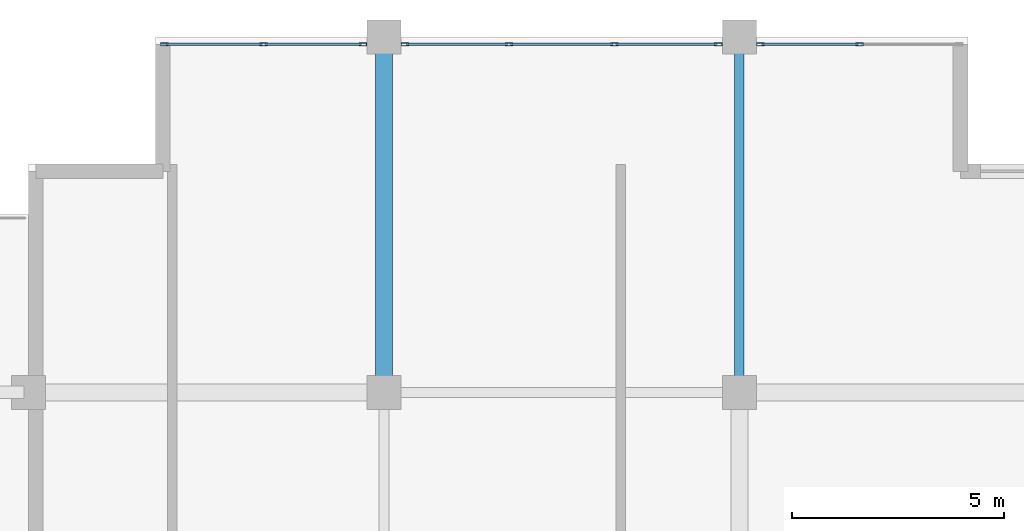
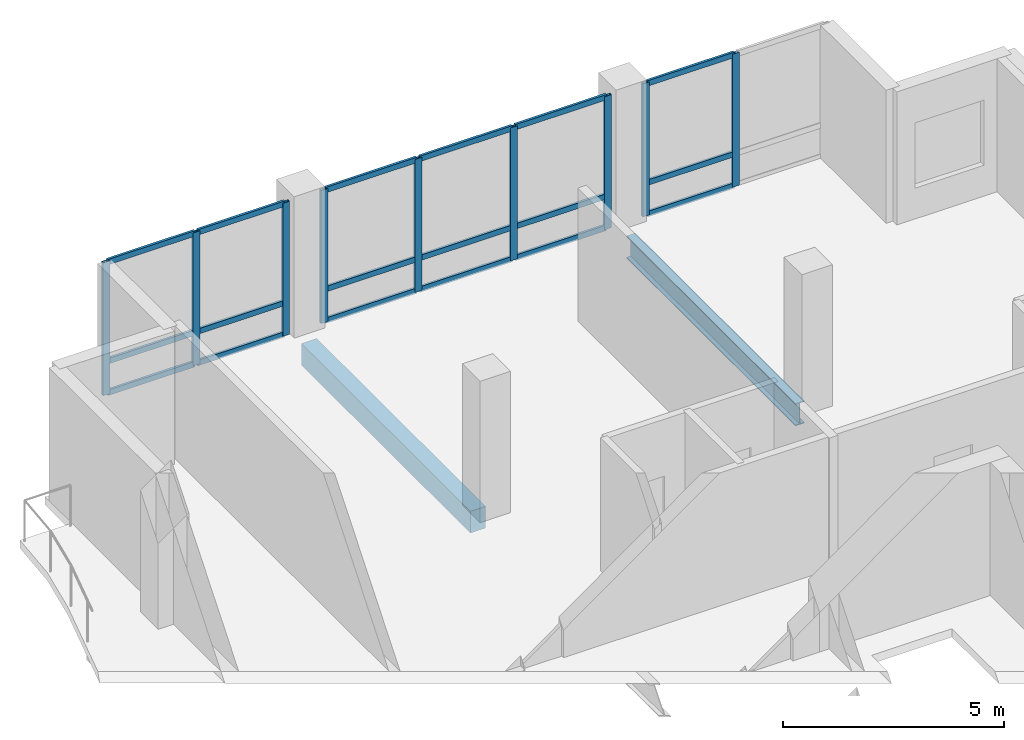
# One storey, part 3 of 15: 27 members, 2 beams, 3 elements without a shape of their own.
"""IFC4 building model written with IfcOpenShell, lengths in metres."""

from ifc_helpers import new_model, si_unit, direction, frame, origin, origin_2d, place, context, subcontext, project, spatial, rectangle, hollow_rectangle, i_section, extrude, material, layer, layer_set, material_profile, profile_set, type_object, element, aggregate, save


model = new_model("IFC4")

# Units and contexts
model_context = context("Model", 3, precision=1e-05, world=origin(), true_north=direction((0.0, 1.0)))
body_context = subcontext(model_context, "Body", "Model", "MODEL_VIEW")
ifc_project = project(units=[si_unit("LENGTHUNIT", "METRE"), si_unit("AREAUNIT", "SQUARE_METRE"), si_unit("VOLUMEUNIT", "CUBIC_METRE"), si_unit("PLANEANGLEUNIT", "RADIAN"), si_unit("MASSUNIT", "GRAM", prefix="KILO")], contexts=[model_context])

# Site, building, storey
site_placement = place(None, origin())
site = spatial("IfcSite", under=ifc_project, at=site_placement, CompositionType="ELEMENT")
building_placement = place(site_placement, origin())
building = spatial("IfcBuilding", under=site, at=building_placement, Name="Koriwani Terraces Tower", CompositionType="ELEMENT")
storey_placement = place(building_placement, frame((0.0, 0.0, 300.800048828125)))
storey = spatial("IfcBuildingStorey", under=building, at=storey_placement, Name="L74", CompositionType="ELEMENT", Elevation=300.800048828125)

# Beam
ifc_material_1 = material(Name="Concrete C40/50", Category="concrete")
ifc_material_profile_1 = material_profile(ifc_material_1, rectangle(XDim=0.39990234375, YDim=0.60009765625, at=origin_2d()), Name="Concrete C40/50", Category="LoadBearing")
ifc_profile_set_1 = profile_set([ifc_material_profile_1], Name="Concrete C40/50")
beam_type_1 = type_object("IfcBeamType", Name="BEAM_RC_GRID_400X600", PredefinedType="BEAM", material=ifc_profile_set_1)
beam_1_placement = place(storey_placement, frame((16.800048828125, 67.580078125, -0.530029296875), z_axis=(0.0, 1.0, 0.0), x_axis=(-1.0, 0.0, 0.0)))
element("IfcBeam", 1, at=beam_1_placement, inside=storey, type_object=beam_type_1, Name="L74 Grid Beam 3 (67.2-75.6m)", PredefinedType="BEAM", context=body_context, shape_type="SweptSolid", body=[
    extrude(rectangle(XDim=0.39990234375, YDim=0.60009765625, at=origin_2d()), origin(), (0.0, 0.0, 1.0), 7.639892578125),
])

# Curtain wall, members
ifc_material_2 = material(Name="Anodised Bronze Aluminium", Category="aluminium")
ifc_layer = layer(ifc_material_2, 0.18994140625, Name="Anodised Bronze Aluminium")
ifc_layer_set = layer_set([ifc_layer], Name="Anodised Bronze Aluminium")
curtain_wall_type = type_object("IfcCurtainWallType", Name="CW_PENTHOUSE_ZONE5", PredefinedType="NOTDEFINED", material=ifc_layer_set)
curtain_wall_1_placement = place(storey_placement, origin())
curtain_wall_1 = element("IfcCurtainWall", 2, at=curtain_wall_1_placement, inside=storey, type_object=curtain_wall_type, Name="L74 Unitised Curtain Wall (N_TIP) Bay 1", PredefinedType="NOTDEFINED")
ifc_material_profile_2 = material_profile(ifc_material_2, hollow_rectangle(XDim=0.074951171875, YDim=0.179931640625, WallThickness=0.006103515625, at=origin_2d()), Name="Anodised Bronze Aluminium", Category="LoadBearing")
ifc_profile_set_2 = profile_set([ifc_material_profile_2], Name="Anodised Bronze Aluminium")
member_type_1 = type_object("IfcMemberType", Name="CW_MULLION_180X75", PredefinedType="MULLION", material=ifc_profile_set_2)
member_1_placement = place(storey_placement, frame((11.612548828125, 75.425048828125, 0.0), z_axis=(0.0, 0.0, 1.0), x_axis=(0.0, 1.0, 0.0)))
member_1 = element("IfcMember", 3, at=member_1_placement, type_object=member_type_1, Name="CW-Z5 mullion 1", PredefinedType="MULLION", context=body_context, shape_type="SweptSolid", body=[
    extrude(hollow_rectangle(XDim=0.074951171875, YDim=0.179931640625, WallThickness=0.006103515625, at=origin_2d()), origin(), (0.0, 0.0, 1.0), 3.669921875),
])
member_2_placement = place(storey_placement, frame((13.95751953125, 75.425048828125, 0.0), z_axis=(0.0, 0.0, 1.0), x_axis=(0.0, 1.0, 0.0)))
member_2 = element("IfcMember", 4, at=member_2_placement, type_object=member_type_1, Name="CW-Z5 mullion 2", PredefinedType="MULLION", context=body_context, shape_type="SweptSolid", body=[
    extrude(hollow_rectangle(XDim=0.074951171875, YDim=0.179931640625, WallThickness=0.006103515625, at=origin_2d()), origin(), (0.0, 0.0, 1.0), 3.669921875),
])
member_3_placement = place(storey_placement, frame((16.302490234375, 75.425048828125, 0.0), z_axis=(0.0, 0.0, 1.0), x_axis=(0.0, 1.0, 0.0)))
member_3 = element("IfcMember", 5, at=member_3_placement, type_object=member_type_1, Name="CW-Z5 mullion 3", PredefinedType="MULLION", context=body_context, shape_type="SweptSolid", body=[
    extrude(hollow_rectangle(XDim=0.074951171875, YDim=0.179931640625, WallThickness=0.006103515625, at=origin_2d()), origin(), (0.0, 0.0, 1.0), 3.669921875),
])

curtain_wall_2_placement = place(storey_placement, origin())
curtain_wall_2 = element("IfcCurtainWall", 6, at=curtain_wall_2_placement, inside=storey, type_object=curtain_wall_type, Name="L74 Unitised Curtain Wall (N_TIP) Bay 2", PredefinedType="NOTDEFINED")
member_4_placement = place(storey_placement, frame((17.297607421875, 75.425048828125, 0.0), z_axis=(0.0, 0.0, 1.0), x_axis=(0.0, 1.0, 0.0)))
member_4 = element("IfcMember", 7, at=member_4_placement, type_object=member_type_1, Name="CW-Z5 mullion 1", PredefinedType="MULLION", context=body_context, shape_type="SweptSolid", body=[
    extrude(hollow_rectangle(XDim=0.074951171875, YDim=0.179931640625, WallThickness=0.006103515625, at=origin_2d()), origin(), (0.0, 0.0, 1.0), 3.669921875),
])
member_5_placement = place(storey_placement, frame((19.75341796875, 75.425048828125, 0.0), z_axis=(0.0, 0.0, 1.0), x_axis=(0.0, 1.0, 0.0)))
member_5 = element("IfcMember", 8, at=member_5_placement, type_object=member_type_1, Name="CW-Z5 mullion 2", PredefinedType="MULLION", context=body_context, shape_type="SweptSolid", body=[
    extrude(hollow_rectangle(XDim=0.074951171875, YDim=0.179931640625, WallThickness=0.006103515625, at=origin_2d()), origin(), (0.0, 0.0, 1.0), 3.669921875),
])
member_6_placement = place(storey_placement, frame((22.24658203125, 75.425048828125, 0.0), z_axis=(0.0, 0.0, 1.0), x_axis=(0.0, 1.0, 0.0)))
member_6 = element("IfcMember", 9, at=member_6_placement, type_object=member_type_1, Name="CW-Z5 mullion 3", PredefinedType="MULLION", context=body_context, shape_type="SweptSolid", body=[
    extrude(hollow_rectangle(XDim=0.074951171875, YDim=0.179931640625, WallThickness=0.006103515625, at=origin_2d()), origin(), (0.0, 0.0, 1.0), 3.669921875),
])
member_7_placement = place(storey_placement, frame((24.702392578125, 75.425048828125, 0.0), z_axis=(0.0, 0.0, 1.0), x_axis=(0.0, 1.0, 0.0)))
member_7 = element("IfcMember", 10, at=member_7_placement, type_object=member_type_1, Name="CW-Z5 mullion 4", PredefinedType="MULLION", context=body_context, shape_type="SweptSolid", body=[
    extrude(hollow_rectangle(XDim=0.074951171875, YDim=0.179931640625, WallThickness=0.006103515625, at=origin_2d()), origin(), (0.0, 0.0, 1.0), 3.669921875),
])

curtain_wall_3_placement = place(storey_placement, origin())
curtain_wall_3 = element("IfcCurtainWall", 11, at=curtain_wall_3_placement, inside=storey, type_object=curtain_wall_type, Name="L74 Unitised Curtain Wall (N_TIP) Bay 3", PredefinedType="NOTDEFINED")
member_8_placement = place(storey_placement, frame((25.697509765625, 75.425048828125, 0.0), z_axis=(0.0, 0.0, 1.0), x_axis=(0.0, 1.0, 0.0)))
member_8 = element("IfcMember", 12, at=member_8_placement, type_object=member_type_1, Name="CW-Z5 mullion 1", PredefinedType="MULLION", context=body_context, shape_type="SweptSolid", body=[
    extrude(hollow_rectangle(XDim=0.074951171875, YDim=0.179931640625, WallThickness=0.006103515625, at=origin_2d()), origin(), (0.0, 0.0, 1.0), 3.669921875),
])
member_9_placement = place(storey_placement, frame((28.04248046875, 75.425048828125, 0.0), z_axis=(0.0, 0.0, 1.0), x_axis=(0.0, 1.0, 0.0)))
member_9 = element("IfcMember", 13, at=member_9_placement, type_object=member_type_1, Name="CW-Z5 mullion 2", PredefinedType="MULLION", context=body_context, shape_type="SweptSolid", body=[
    extrude(hollow_rectangle(XDim=0.074951171875, YDim=0.179931640625, WallThickness=0.006103515625, at=origin_2d()), origin(), (0.0, 0.0, 1.0), 3.669921875),
])

# Member
ifc_material_profile_3 = material_profile(ifc_material_2, hollow_rectangle(XDim=0.06494140625, YDim=0.14990234375, WallThickness=0.0048828125, at=origin_2d()), Name="Anodised Bronze Aluminium", Category="LoadBearing")
ifc_profile_set_3 = profile_set([ifc_material_profile_3], Name="Anodised Bronze Aluminium")
member_type_2 = type_object("IfcMemberType", Name="CW_TRANSOM_150X65", PredefinedType="USERDEFINED", material=ifc_profile_set_3)
member_10_placement = place(storey_placement, frame((11.64990234375, 75.425048828125, 0.032470703125), z_axis=(1.0, 0.0, 0.0), x_axis=(0.0, 1.0, 0.0)))
member_10 = element("IfcMember", 14, at=member_10_placement, type_object=member_type_2, Name="CW-Z5 transom 1.1", ObjectType="TRANSOM", PredefinedType="USERDEFINED", context=body_context, shape_type="SweptSolid", body=[
    extrude(hollow_rectangle(XDim=0.06494140625, YDim=0.14990234375, WallThickness=0.0048828125, at=origin_2d()), origin(), (0.0, 0.0, 1.0), 2.27001953125),
])

member_11_placement = place(storey_placement, frame((11.64990234375, 75.425048828125, 0.89990234375), z_axis=(1.0, 0.0, 0.0), x_axis=(0.0, 1.0, 0.0)))
member_11 = element("IfcMember", 15, at=member_11_placement, type_object=member_type_2, Name="CW-Z5 transom 1.2", ObjectType="TRANSOM", PredefinedType="USERDEFINED", context=body_context, shape_type="SweptSolid", body=[
    extrude(hollow_rectangle(XDim=0.06494140625, YDim=0.14990234375, WallThickness=0.0048828125, at=origin_2d()), origin(), (0.0, 0.0, 1.0), 2.27001953125),
])

member_12_placement = place(storey_placement, frame((11.64990234375, 75.425048828125, 3.637451171875), z_axis=(1.0, 0.0, 0.0), x_axis=(0.0, 1.0, 0.0)))
member_12 = element("IfcMember", 16, at=member_12_placement, type_object=member_type_2, Name="CW-Z5 transom 1.3", ObjectType="TRANSOM", PredefinedType="USERDEFINED", context=body_context, shape_type="SweptSolid", body=[
    extrude(hollow_rectangle(XDim=0.06494140625, YDim=0.14990234375, WallThickness=0.0048828125, at=origin_2d()), origin(), (0.0, 0.0, 1.0), 2.27001953125),
])

member_13_placement = place(storey_placement, frame((13.9951171875, 75.425048828125, 0.032470703125), z_axis=(1.0, 0.0, 0.0), x_axis=(0.0, 1.0, 0.0)))
member_13 = element("IfcMember", 17, at=member_13_placement, type_object=member_type_2, Name="CW-Z5 transom 2.1", ObjectType="TRANSOM", PredefinedType="USERDEFINED", context=body_context, shape_type="SweptSolid", body=[
    extrude(hollow_rectangle(XDim=0.06494140625, YDim=0.14990234375, WallThickness=0.0048828125, at=origin_2d()), origin(), (0.0, 0.0, 1.0), 2.269775390625),
])

member_14_placement = place(storey_placement, frame((13.9951171875, 75.425048828125, 0.89990234375), z_axis=(1.0, 0.0, 0.0), x_axis=(0.0, 1.0, 0.0)))
member_14 = element("IfcMember", 18, at=member_14_placement, type_object=member_type_2, Name="CW-Z5 transom 2.2", ObjectType="TRANSOM", PredefinedType="USERDEFINED", context=body_context, shape_type="SweptSolid", body=[
    extrude(hollow_rectangle(XDim=0.06494140625, YDim=0.14990234375, WallThickness=0.0048828125, at=origin_2d()), origin(), (0.0, 0.0, 1.0), 2.269775390625),
])

member_15_placement = place(storey_placement, frame((13.9951171875, 75.425048828125, 3.637451171875), z_axis=(1.0, 0.0, 0.0), x_axis=(0.0, 1.0, 0.0)))
member_15 = element("IfcMember", 19, at=member_15_placement, type_object=member_type_2, Name="CW-Z5 transom 2.3", ObjectType="TRANSOM", PredefinedType="USERDEFINED", context=body_context, shape_type="SweptSolid", body=[
    extrude(hollow_rectangle(XDim=0.06494140625, YDim=0.14990234375, WallThickness=0.0048828125, at=origin_2d()), origin(), (0.0, 0.0, 1.0), 2.269775390625),
])

aggregate(curtain_wall_1, [member_1, member_2, member_3, member_10, member_11, member_12, member_13, member_14, member_15])

member_16_placement = place(storey_placement, frame((17.3349609375, 75.425048828125, 0.032470703125), z_axis=(1.0, 0.0, 0.0), x_axis=(0.0, 1.0, 0.0)))
member_16 = element("IfcMember", 20, at=member_16_placement, type_object=member_type_2, Name="CW-Z5 transom 1.1", ObjectType="TRANSOM", PredefinedType="USERDEFINED", context=body_context, shape_type="SweptSolid", body=[
    extrude(hollow_rectangle(XDim=0.06494140625, YDim=0.14990234375, WallThickness=0.0048828125, at=origin_2d()), origin(), (0.0, 0.0, 1.0), 2.380859375),
])

member_17_placement = place(storey_placement, frame((17.3349609375, 75.425048828125, 0.89990234375), z_axis=(1.0, 0.0, 0.0), x_axis=(0.0, 1.0, 0.0)))
member_17 = element("IfcMember", 21, at=member_17_placement, type_object=member_type_2, Name="CW-Z5 transom 1.2", ObjectType="TRANSOM", PredefinedType="USERDEFINED", context=body_context, shape_type="SweptSolid", body=[
    extrude(hollow_rectangle(XDim=0.06494140625, YDim=0.14990234375, WallThickness=0.0048828125, at=origin_2d()), origin(), (0.0, 0.0, 1.0), 2.380859375),
])

member_18_placement = place(storey_placement, frame((17.3349609375, 75.425048828125, 3.637451171875), z_axis=(1.0, 0.0, 0.0), x_axis=(0.0, 1.0, 0.0)))
member_18 = element("IfcMember", 22, at=member_18_placement, type_object=member_type_2, Name="CW-Z5 transom 1.3", ObjectType="TRANSOM", PredefinedType="USERDEFINED", context=body_context, shape_type="SweptSolid", body=[
    extrude(hollow_rectangle(XDim=0.06494140625, YDim=0.14990234375, WallThickness=0.0048828125, at=origin_2d()), origin(), (0.0, 0.0, 1.0), 2.380859375),
])

member_19_placement = place(storey_placement, frame((19.790771484375, 75.425048828125, 0.032470703125), z_axis=(1.0, 0.0, 0.0), x_axis=(0.0, 1.0, 0.0)))
member_19 = element("IfcMember", 23, at=member_19_placement, type_object=member_type_2, Name="CW-Z5 transom 2.1", ObjectType="TRANSOM", PredefinedType="USERDEFINED", context=body_context, shape_type="SweptSolid", body=[
    extrude(hollow_rectangle(XDim=0.06494140625, YDim=0.14990234375, WallThickness=0.0048828125, at=origin_2d()), origin(), (0.0, 0.0, 1.0), 2.41845703125),
])

member_20_placement = place(storey_placement, frame((19.790771484375, 75.425048828125, 0.89990234375), z_axis=(1.0, 0.0, 0.0), x_axis=(0.0, 1.0, 0.0)))
member_20 = element("IfcMember", 24, at=member_20_placement, type_object=member_type_2, Name="CW-Z5 transom 2.2", ObjectType="TRANSOM", PredefinedType="USERDEFINED", context=body_context, shape_type="SweptSolid", body=[
    extrude(hollow_rectangle(XDim=0.06494140625, YDim=0.14990234375, WallThickness=0.0048828125, at=origin_2d()), origin(), (0.0, 0.0, 1.0), 2.41845703125),
])

member_21_placement = place(storey_placement, frame((19.790771484375, 75.425048828125, 3.637451171875), z_axis=(1.0, 0.0, 0.0), x_axis=(0.0, 1.0, 0.0)))
member_21 = element("IfcMember", 25, at=member_21_placement, type_object=member_type_2, Name="CW-Z5 transom 2.3", ObjectType="TRANSOM", PredefinedType="USERDEFINED", context=body_context, shape_type="SweptSolid", body=[
    extrude(hollow_rectangle(XDim=0.06494140625, YDim=0.14990234375, WallThickness=0.0048828125, at=origin_2d()), origin(), (0.0, 0.0, 1.0), 2.41845703125),
])

member_22_placement = place(storey_placement, frame((22.2841796875, 75.425048828125, 0.032470703125), z_axis=(1.0, 0.0, 0.0), x_axis=(0.0, 1.0, 0.0)))
member_22 = element("IfcMember", 26, at=member_22_placement, type_object=member_type_2, Name="CW-Z5 transom 3.1", ObjectType="TRANSOM", PredefinedType="USERDEFINED", context=body_context, shape_type="SweptSolid", body=[
    extrude(hollow_rectangle(XDim=0.06494140625, YDim=0.14990234375, WallThickness=0.0048828125, at=origin_2d()), origin(), (0.0, 0.0, 1.0), 2.380859375),
])

member_23_placement = place(storey_placement, frame((22.2841796875, 75.425048828125, 0.89990234375), z_axis=(1.0, 0.0, 0.0), x_axis=(0.0, 1.0, 0.0)))
member_23 = element("IfcMember", 27, at=member_23_placement, type_object=member_type_2, Name="CW-Z5 transom 3.2", ObjectType="TRANSOM", PredefinedType="USERDEFINED", context=body_context, shape_type="SweptSolid", body=[
    extrude(hollow_rectangle(XDim=0.06494140625, YDim=0.14990234375, WallThickness=0.0048828125, at=origin_2d()), origin(), (0.0, 0.0, 1.0), 2.380859375),
])

member_24_placement = place(storey_placement, frame((22.2841796875, 75.425048828125, 3.637451171875), z_axis=(1.0, 0.0, 0.0), x_axis=(0.0, 1.0, 0.0)))
member_24 = element("IfcMember", 28, at=member_24_placement, type_object=member_type_2, Name="CW-Z5 transom 3.3", ObjectType="TRANSOM", PredefinedType="USERDEFINED", context=body_context, shape_type="SweptSolid", body=[
    extrude(hollow_rectangle(XDim=0.06494140625, YDim=0.14990234375, WallThickness=0.0048828125, at=origin_2d()), origin(), (0.0, 0.0, 1.0), 2.380859375),
])

aggregate(curtain_wall_2, [member_4, member_5, member_6, member_7, member_16, member_17, member_18, member_19, member_20, member_21, member_22, member_23, member_24])

member_25_placement = place(storey_placement, frame((25.735107421875, 75.425048828125, 0.032470703125), z_axis=(1.0, 0.0, 0.0), x_axis=(0.0, 1.0, 0.0)))
member_25 = element("IfcMember", 29, at=member_25_placement, type_object=member_type_2, Name="CW-Z5 transom 1.1", ObjectType="TRANSOM", PredefinedType="USERDEFINED", context=body_context, shape_type="SweptSolid", body=[
    extrude(hollow_rectangle(XDim=0.06494140625, YDim=0.14990234375, WallThickness=0.0048828125, at=origin_2d()), origin(), (0.0, 0.0, 1.0), 2.269775390625),
])

member_26_placement = place(storey_placement, frame((25.735107421875, 75.425048828125, 0.89990234375), z_axis=(1.0, 0.0, 0.0), x_axis=(0.0, 1.0, 0.0)))
member_26 = element("IfcMember", 30, at=member_26_placement, type_object=member_type_2, Name="CW-Z5 transom 1.2", ObjectType="TRANSOM", PredefinedType="USERDEFINED", context=body_context, shape_type="SweptSolid", body=[
    extrude(hollow_rectangle(XDim=0.06494140625, YDim=0.14990234375, WallThickness=0.0048828125, at=origin_2d()), origin(), (0.0, 0.0, 1.0), 2.269775390625),
])

member_27_placement = place(storey_placement, frame((25.735107421875, 75.425048828125, 3.637451171875), z_axis=(1.0, 0.0, 0.0), x_axis=(0.0, 1.0, 0.0)))
member_27 = element("IfcMember", 31, at=member_27_placement, type_object=member_type_2, Name="CW-Z5 transom 1.3", ObjectType="TRANSOM", PredefinedType="USERDEFINED", context=body_context, shape_type="SweptSolid", body=[
    extrude(hollow_rectangle(XDim=0.06494140625, YDim=0.14990234375, WallThickness=0.0048828125, at=origin_2d()), origin(), (0.0, 0.0, 1.0), 2.269775390625),
])

aggregate(curtain_wall_3, [member_8, member_9, member_25, member_26, member_27])

# Beam
ifc_material_3 = material(Name="Steel ASTM A572 Grade 50", Category="steel")
ifc_material_profile_4 = material_profile(ifc_material_3, i_section(OverallWidth=0.23095703125, OverallDepth=0.616943359375, WebThickness=0.015380859375, FlangeThickness=0.0244140625, at=origin_2d()), Name="Steel ASTM A572 Grade 50", Category="LoadBearing")
ifc_profile_set_4 = profile_set([ifc_material_profile_4], Name="Steel ASTM A572 Grade 50")
beam_type_2 = type_object("IfcBeamType", Name="STEEL_BEAM_W610X195", PredefinedType="BEAM", material=ifc_profile_set_4)
beam_2_placement = place(storey_placement, frame((25.199951171875, 67.580078125, -0.53857421875), z_axis=(0.0, 1.0, 0.0), x_axis=(-1.0, 0.0, 0.0)))
element("IfcBeam", 32, at=beam_2_placement, inside=storey, type_object=beam_type_2, Name="L74 Grid Beam 4 (67.2-75.6m)", PredefinedType="BEAM", context=body_context, shape_type="SweptSolid", body=[
    extrude(i_section(OverallWidth=0.23095703125, OverallDepth=0.616943359375, WebThickness=0.015380859375, FlangeThickness=0.0244140625, at=origin_2d()), origin(), (0.0, 0.0, 1.0), 7.639892578125),
])

save(model, "model.ifc")
